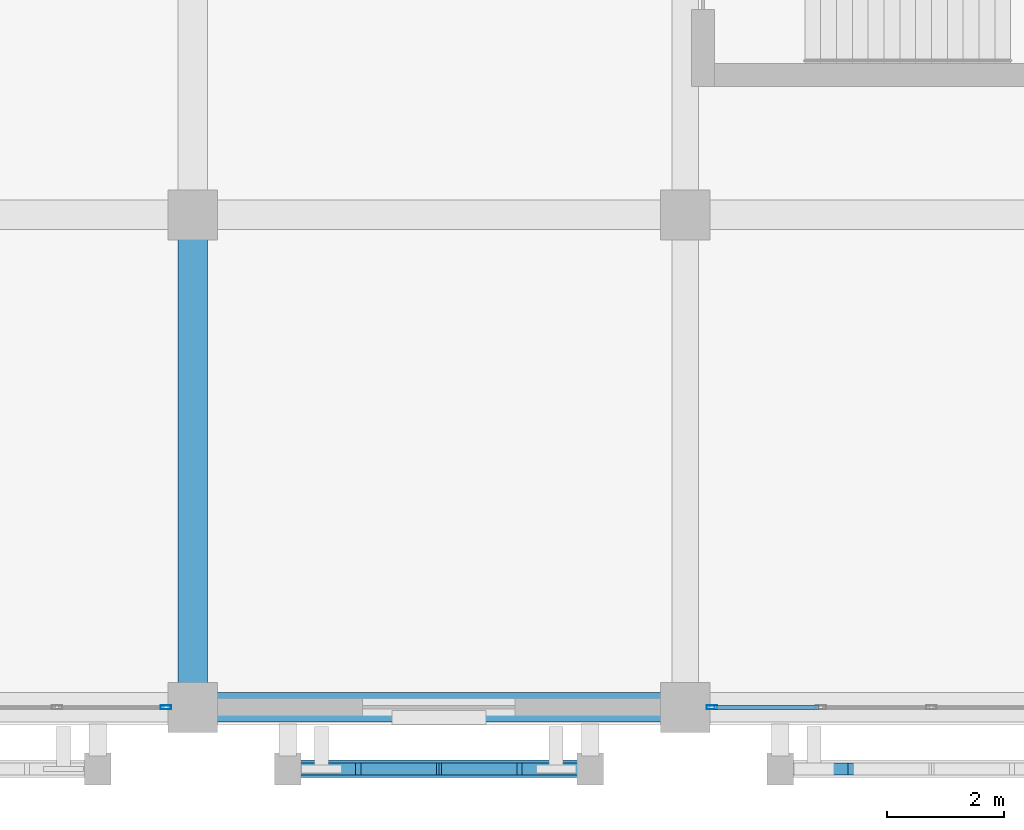
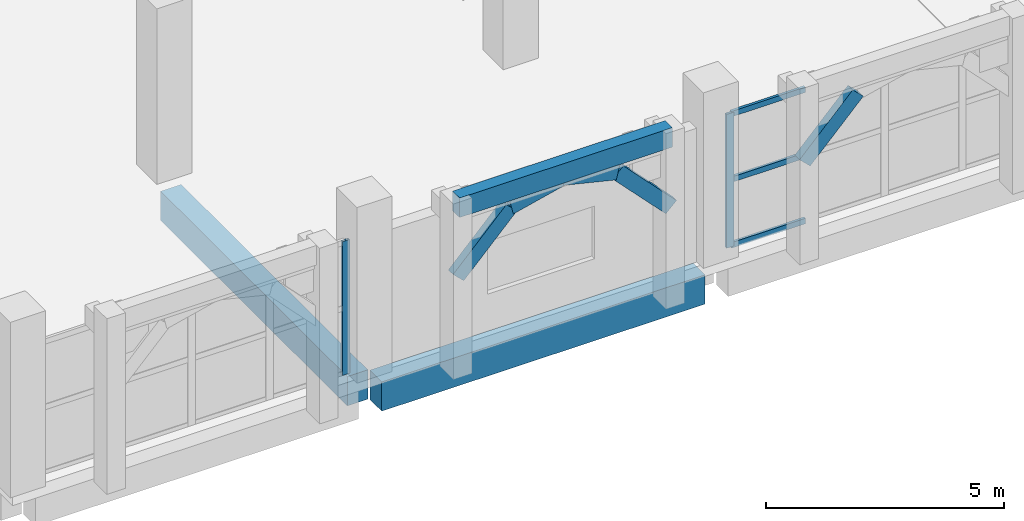
# One storey, part 5 of 137: 10 members, 3 beams, 2 elements without a shape of their own.
"""IFC4 building model written with IfcOpenShell, lengths in metres."""

from ifc_helpers import new_model, si_unit, direction, frame, origin, origin_2d, place, context, subcontext, project, spatial, rectangle, hollow_rectangle, extrude, material, layer, layer_set, material_profile, profile_set, type_object, element, aggregate, save


model = new_model("IFC4")

# Units and contexts
model_context = context("Model", 3, precision=1e-05, world=origin(), true_north=direction((0.0, 1.0)))
body_context = subcontext(model_context, "Body", "Model", "MODEL_VIEW")
ifc_project = project(units=[si_unit("LENGTHUNIT", "METRE"), si_unit("AREAUNIT", "SQUARE_METRE"), si_unit("VOLUMEUNIT", "CUBIC_METRE"), si_unit("PLANEANGLEUNIT", "RADIAN"), si_unit("MASSUNIT", "GRAM", prefix="KILO")], contexts=[model_context])

# Site, building, storey
site_placement = place(None, origin())
site = spatial("IfcSite", under=ifc_project, at=site_placement, CompositionType="ELEMENT")
building_placement = place(site_placement, origin())
building = spatial("IfcBuilding", under=site, at=building_placement, Name="Xazarin Passage Department Store", CompositionType="ELEMENT")
storey_placement = place(building_placement, frame((0.0, 0.0, 5.39990234375)))
storey = spatial("IfcBuildingStorey", under=building, at=storey_placement, Name="L01", CompositionType="ELEMENT", Elevation=5.39990234375)

# Curtain wall, member
ifc_material_1 = material(Name="Bronze anodised aluminium", Category="aluminium")
ifc_layer = layer(ifc_material_1, 0.18994140625)
ifc_layer_set = layer_set([ifc_layer], Name="Bronze anodised aluminium")
curtain_wall_type = type_object("IfcCurtainWallType", Name="ARC-CW-FDH1", PredefinedType="NOTDEFINED", material=ifc_layer_set)
curtain_wall_1_placement = place(storey_placement, origin())
curtain_wall_1 = element("IfcCurtainWall", 1, at=curtain_wall_1_placement, inside=storey, type_object=curtain_wall_type, Name="L01 V3 Curtain Wall 123", PredefinedType="NOTDEFINED")
ifc_material_profile_1 = material_profile(ifc_material_1, hollow_rectangle(XDim=0.06494140625, YDim=0.179931640625, WallThickness=0.00390625, at=origin_2d()), Name="ALU 65x180")
ifc_profile_set_1 = profile_set([ifc_material_profile_1], Name="Bronze anodised aluminium")
member_type_1 = type_object("IfcMemberType", Name="ARC-CWM-65x180", PredefinedType="MULLION", material=ifc_profile_set_1)
member_1_placement = place(storey_placement, frame((16.342529296875, 0.0, 0.0), z_axis=(0.0, 0.0, 1.0), x_axis=(0.0, 1.0, 0.0)))
member_1 = element("IfcMember", 2, at=member_1_placement, type_object=member_type_1, Name="CW5 mullion 5", PredefinedType="MULLION", context=body_context, shape_type="SweptSolid", body=[
    extrude(hollow_rectangle(XDim=0.06494140625, YDim=0.179931640625, WallThickness=0.00390625, at=origin_2d()), origin(), (0.0, 0.0, 1.0), 3.43017578125),
])
aggregate(curtain_wall_1, [member_1])

# Curtain wall, members
curtain_wall_2_placement = place(storey_placement, origin())
curtain_wall_2 = element("IfcCurtainWall", 3, at=curtain_wall_2_placement, inside=storey, type_object=curtain_wall_type, Name="L01 V3 Curtain Wall 124", PredefinedType="NOTDEFINED")
member_2_placement = place(storey_placement, frame((25.657470703125, 0.0, 0.0), z_axis=(0.0, 0.0, 1.0), x_axis=(0.0, 1.0, 0.0)))
member_2 = element("IfcMember", 4, at=member_2_placement, type_object=member_type_1, Name="CW5 mullion 1", PredefinedType="MULLION", context=body_context, shape_type="SweptSolid", body=[
    extrude(hollow_rectangle(XDim=0.06494140625, YDim=0.179931640625, WallThickness=0.00390625, at=origin_2d()), origin(), (0.0, 0.0, 1.0), 3.43017578125),
])
ifc_material_profile_2 = material_profile(ifc_material_1, hollow_rectangle(XDim=0.06494140625, YDim=0.139892578125, WallThickness=0.00390625, at=origin_2d()), Name="ALU 65x140")
ifc_profile_set_2 = profile_set([ifc_material_profile_2], Name="Bronze anodised aluminium")
member_type_2 = type_object("IfcMemberType", Name="ARC-CWT-65x140", PredefinedType="USERDEFINED", material=ifc_profile_set_2)
member_3_placement = place(storey_placement, frame((25.68994140625, 0.0, 0.03271484375), z_axis=(1.0, 0.0, 0.0), x_axis=(0.0, 1.0, 0.0)))
member_3 = element("IfcMember", 5, at=member_3_placement, type_object=member_type_2, Name="CW5 transom 1.1", ObjectType="TRANSOM", PredefinedType="USERDEFINED", context=body_context, shape_type="SweptSolid", body=[
    extrude(hollow_rectangle(XDim=0.06494140625, YDim=0.139892578125, WallThickness=0.00390625, at=origin_2d()), origin(), (0.0, 0.0, 1.0), 1.7900390625),
])
member_4_placement = place(storey_placement, frame((25.68994140625, 0.0, 1.715087890625), z_axis=(1.0, 0.0, 0.0), x_axis=(0.0, 1.0, 0.0)))
member_4 = element("IfcMember", 6, at=member_4_placement, type_object=member_type_2, Name="CW5 transom 1.2", ObjectType="TRANSOM", PredefinedType="USERDEFINED", context=body_context, shape_type="SweptSolid", body=[
    extrude(hollow_rectangle(XDim=0.06494140625, YDim=0.139892578125, WallThickness=0.00390625, at=origin_2d()), origin(), (0.0, 0.0, 1.0), 1.7900390625),
])
member_5_placement = place(storey_placement, frame((25.68994140625, 0.0, 3.397705078125), z_axis=(1.0, 0.0, 0.0), x_axis=(0.0, 1.0, 0.0)))
member_5 = element("IfcMember", 7, at=member_5_placement, type_object=member_type_2, Name="CW5 transom 1.3", ObjectType="TRANSOM", PredefinedType="USERDEFINED", context=body_context, shape_type="SweptSolid", body=[
    extrude(hollow_rectangle(XDim=0.06494140625, YDim=0.139892578125, WallThickness=0.00390625, at=origin_2d()), origin(), (0.0, 0.0, 1.0), 1.7900390625),
])
aggregate(curtain_wall_2, [member_2, member_3, member_4, member_5])

# Beams
ifc_material_2 = material(Name="Concrete C35/45", Category="concrete")
ifc_material_profile_3 = material_profile(ifc_material_2, rectangle(XDim=0.300048828125, YDim=0.5, at=origin_2d()), Name="RC 300x500")
ifc_profile_set_3 = profile_set([ifc_material_profile_3], Name="Concrete C35/45")
beam_type_1 = type_object("IfcBeamType", Name="STR-BM-LN300x500", PredefinedType="LINTEL", material=ifc_profile_set_3)
beam_1_placement = place(storey_placement, frame((18.419921875, -1.050048828125, 4.25), z_axis=(1.0, 0.0, 0.0), x_axis=(0.0, 1.0, 0.0)))
element("IfcBeam", 8, at=beam_1_placement, inside=storey, type_object=beam_type_1, Name="L01 V3 Colonnade Spandrel Beam 028", PredefinedType="LINTEL", context=body_context, shape_type="SweptSolid", body=[
    extrude(rectangle(XDim=0.300048828125, YDim=0.5, at=origin_2d()), origin(), (0.0, 0.0, 1.0), 5.16015625),
])
ifc_material_profile_4 = material_profile(ifc_material_2, rectangle(XDim=0.5, YDim=0.75, at=origin_2d()), Name="RC 500x750")
ifc_profile_set_4 = profile_set([ifc_material_profile_4], Name="Concrete C35/45")
beam_type_2 = type_object("IfcBeamType", Name="STR-BM-SP500x750", PredefinedType="SPANDREL", material=ifc_profile_set_4)
beam_2_placement = place(storey_placement, frame((17.080078125, 0.0, -0.69482421875), z_axis=(1.0, 0.0, 0.0), x_axis=(0.0, 1.0, 0.0)))
element("IfcBeam", 9, at=beam_2_placement, inside=storey, type_object=beam_type_2, Name="L01 Grid Beam A/3-4", PredefinedType="SPANDREL", context=body_context, shape_type="SweptSolid", body=[
    extrude(rectangle(XDim=0.5, YDim=0.75, at=origin_2d()), origin(), (0.0, 0.0, 1.0), 7.83984375),
])
beam_3_placement = place(storey_placement, frame((16.800048828125, 0.280029296875, -0.69482421875), z_axis=(0.0, 1.0, 0.0), x_axis=(-1.0, 0.0, 0.0)))
element("IfcBeam", 10, at=beam_3_placement, inside=storey, type_object=beam_type_2, Name="L01 Grid Beam 3/A-B", PredefinedType="SPANDREL", context=body_context, shape_type="SweptSolid", body=[
    extrude(rectangle(XDim=0.5, YDim=0.75, at=origin_2d()), origin(), (0.0, 0.0, 1.0), 7.840087890625),
])

# Members
ifc_material_3 = material(Name="Concrete C40/50", Category="concrete")
ifc_material_profile_5 = material_profile(ifc_material_3, rectangle(XDim=0.199951171875, YDim=0.360107421875, at=origin_2d()), Name="RC 200x360")
ifc_profile_set_5 = profile_set([ifc_material_profile_5], Name="Concrete C40/50")
member_type_3 = type_object("IfcMemberType", Name="STR-MEM-ARC360", PredefinedType="CHORD", material=ifc_profile_set_5)
member_6_placement = place(storey_placement, frame((18.419921875, -1.050048828125, 2.43017578125), z_axis=(0.693460080602, 0.0, 0.720495049679), x_axis=(0.0, 1.0, 0.0)))
element("IfcMember", 11, at=member_6_placement, inside=storey, type_object=member_type_3, Name="L01 V3 Pierced Lattice Curved Arch 028.1", PredefinedType="CHORD", context=body_context, shape_type="SweptSolid", body=[
    extrude(rectangle(XDim=0.199951171875, YDim=0.360107421875, at=origin_2d()), origin(), (0.0, 0.0, 1.0), 1.8603515625),
])
for number, where, z_axis, x_axis, name in (
    (12, (19.7099609375, -1.050048828125, 3.7705078125), (0.972393983317, 0.0, 0.233345111818), (0.0, 1.0, 0.0), "L01 V3 Pierced Lattice Curved Arch 028.2"),
    (13, (21.0, -1.050048828125, 4.080078125), (0.972393983317, 0.0, -0.233345111818), (0.0, 1.0, 0.0), "L01 V3 Pierced Lattice Curved Arch 028.3"),
):
    element("IfcMember", number, at=place(storey_placement, frame(where, z_axis=z_axis, x_axis=x_axis)), inside=storey, type_object=member_type_3, Name=name, PredefinedType="CHORD", context=body_context, shape_type="SweptSolid", body=[
        extrude(rectangle(XDim=0.199951171875, YDim=0.360107421875, at=origin_2d()), origin(), (0.0, 0.0, 1.0), 1.32666015625),
    ])
for number, where, z_axis, x_axis, name in (
    (14, (22.2900390625, -1.050048828125, 3.7705078125), (0.693460080602, 0.0, -0.720495049679), (0.0, 1.0, 0.0), "L01 V3 Pierced Lattice Curved Arch 028.4"),
    (15, (26.820068359375, -1.050048828125, 2.43017578125), (0.693460080602, 0.0, 0.720495049679), (0.0, 1.0, 0.0), "L01 V3 Pierced Lattice Curved Arch 029.1"),
):
    element("IfcMember", number, at=place(storey_placement, frame(where, z_axis=z_axis, x_axis=x_axis)), inside=storey, type_object=member_type_3, Name=name, PredefinedType="CHORD", context=body_context, shape_type="SweptSolid", body=[
        extrude(rectangle(XDim=0.199951171875, YDim=0.360107421875, at=origin_2d()), origin(), (0.0, 0.0, 1.0), 1.8603515625),
    ])

save(model, "model.ifc")
